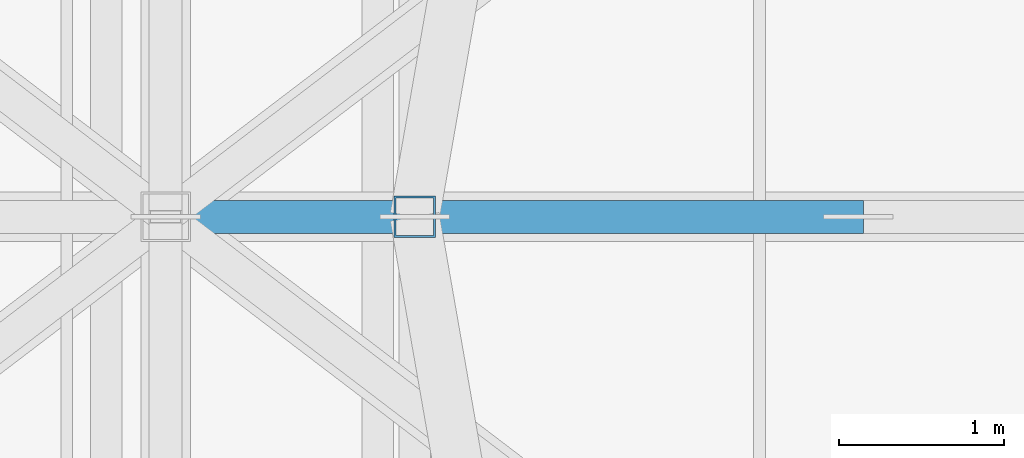
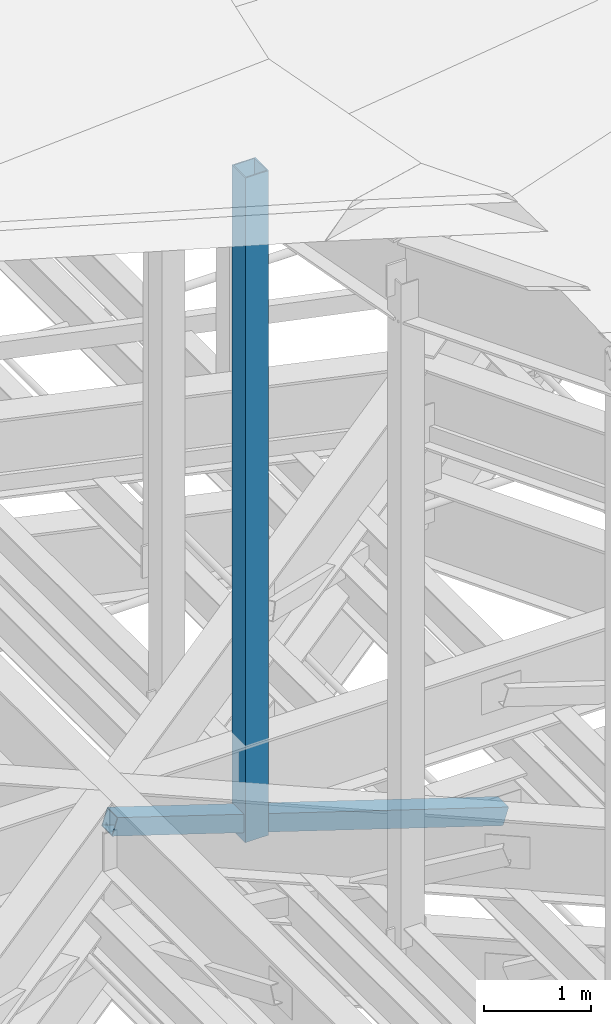
# One storey, part 63 of 184: 2 members.
"""IFC4 building model written with IfcOpenShell, lengths in metres."""

from ifc_helpers import new_model, si_unit, direction, frame, origin, origin_2d, place, context, subcontext, project, spatial, hollow_rectangle, extrude, material, material_profile, profile_set, type_object, element, save


model = new_model("IFC4")

# Units and contexts
model_context = context("Model", 3, precision=1e-05, world=origin(), true_north=direction((0.0, 1.0)))
body_context = subcontext(model_context, "Body", "Model", "MODEL_VIEW")
ifc_project = project(units=[si_unit("LENGTHUNIT", "METRE"), si_unit("AREAUNIT", "SQUARE_METRE"), si_unit("VOLUMEUNIT", "CUBIC_METRE"), si_unit("PLANEANGLEUNIT", "RADIAN"), si_unit("MASSUNIT", "GRAM", prefix="KILO")], contexts=[model_context])

# Site, building, storey
site_placement = place(None, origin())
site = spatial("IfcSite", under=ifc_project, at=site_placement, CompositionType="ELEMENT")
building_placement = place(site_placement, origin())
building = spatial("IfcBuilding", under=site, at=building_placement, Name="Kalgoora Escarpment Arena", CompositionType="ELEMENT")
storey_placement = place(building_placement, frame((0.0, 0.0, 27.60009765625)))
storey = spatial("IfcBuildingStorey", under=building, at=storey_placement, Name="Roof Level", CompositionType="ELEMENT", Elevation=27.60009765625)

# Members
ifc_material_1 = material(Name="Structural steel C450 (450 MPa)", Category="steel")
ifc_material_profile_1 = material_profile(ifc_material_1, hollow_rectangle(XDim=0.25, YDim=0.25, WallThickness=0.012451171875, at=origin_2d()))
ifc_profile_set_1 = profile_set([ifc_material_profile_1], Name="Structural steel C450 (450 MPa)")
member_type_1 = type_object("IfcMemberType", Name="MEM-PETAL-POST", PredefinedType="POST", material=ifc_profile_set_1)
member_1_placement = place(storey_placement, frame((98.7099609375, 64.0, -0.900146484375), z_axis=(0.0, 0.0, 1.0), x_axis=(1.0, 0.0, 0.0)))
element("IfcMember", 1, at=member_1_placement, inside=storey, type_object=member_type_1, Name="Crown dome vertical post 13", PredefinedType="POST", context=body_context, shape_type="SweptSolid", body=[
    extrude(hollow_rectangle(XDim=0.25, YDim=0.25, WallThickness=0.012451171875, at=origin_2d()), origin(), (0.0, 0.0, 1.0), 7.550048828125),
])
ifc_material_2 = material(Name="Structural steel C350 (350 MPa)", Category="steel")
ifc_material_profile_2 = material_profile(ifc_material_2, hollow_rectangle(XDim=0.199951171875, YDim=0.199951171875, WallThickness=0.009033203125, at=origin_2d()))
ifc_profile_set_2 = profile_set([ifc_material_profile_2], Name="Structural steel C350 (350 MPa)")
member_type_2 = type_object("IfcMemberType", Name="MEM-TRUSS-DIAG", PredefinedType="BRACE", material=ifc_profile_set_2)
member_2_placement = place(storey_placement, frame((101.39990234375, 64.0, -1.60009765625), z_axis=(-0.95202107565, 0.0, 0.306032468078), x_axis=(0.0, -1.0, 0.0)))
element("IfcMember", 2, at=member_2_placement, inside=storey, type_object=member_type_2, Name="Central ROOF TRUSS hub web diagonal 1-2", PredefinedType="BRACE", context=body_context, shape_type="SweptSolid", body=[
    extrude(hollow_rectangle(XDim=0.199951171875, YDim=0.199951171875, WallThickness=0.009033203125, at=origin_2d()), origin(), (0.0, 0.0, 1.0), 4.41162109375),
])

save(model, "model.ifc")
